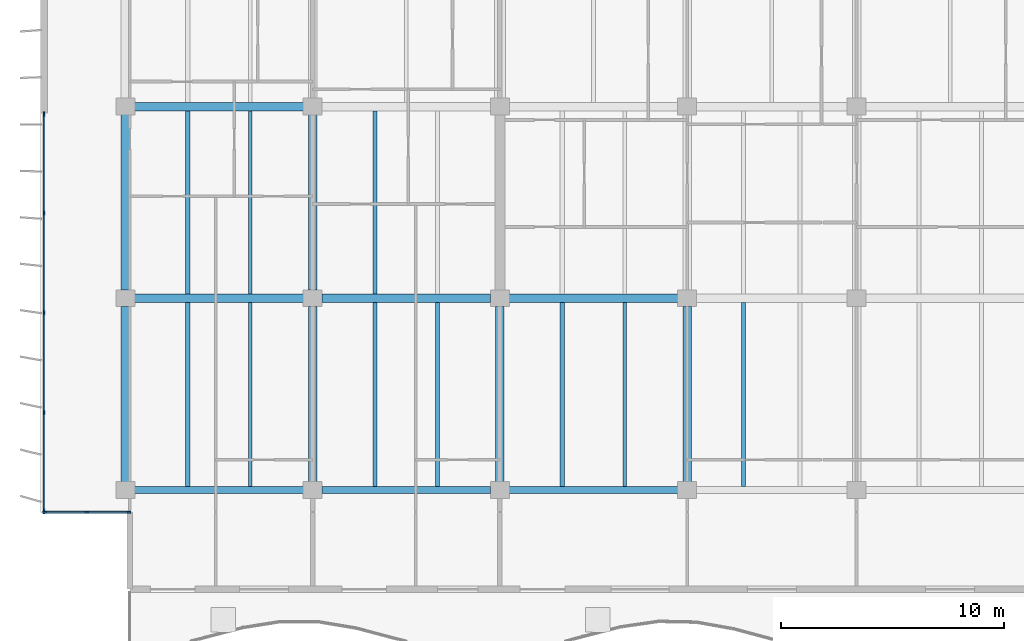
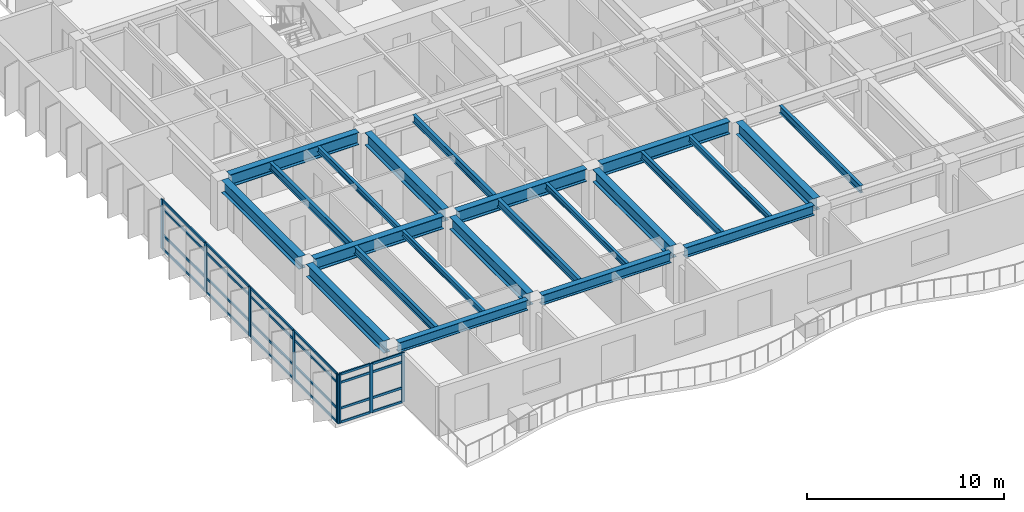
# One storey, part 2 of 17: 32 members, 23 beams, 2 elements without a shape of their own.
"""IFC4 building model written with IfcOpenShell, lengths in metres."""

from ifc_helpers import new_model, si_unit, direction, frame, origin, origin_2d, place, context, subcontext, project, spatial, rectangle, i_section, extrude, material, layer, layer_set, material_profile, profile_set, type_object, element, aggregate, save


model = new_model("IFC4")

# Units and contexts
model_context = context("Model", 3, precision=1e-05, world=origin(), true_north=direction((0.0, 1.0)))
body_context = subcontext(model_context, "Body", "Model", "MODEL_VIEW")
ifc_project = project(units=[si_unit("LENGTHUNIT", "METRE"), si_unit("AREAUNIT", "SQUARE_METRE"), si_unit("VOLUMEUNIT", "CUBIC_METRE"), si_unit("PLANEANGLEUNIT", "RADIAN"), si_unit("MASSUNIT", "GRAM", prefix="KILO")], contexts=[model_context])

# Site, building, storey
site_placement = place(None, origin())
site = spatial("IfcSite", under=ifc_project, at=site_placement, CompositionType="ELEMENT")
building_placement = place(site_placement, origin())
building = spatial("IfcBuilding", under=site, at=building_placement, Name="Caelmar Bay Residences", CompositionType="ELEMENT")
storey_placement = place(building_placement, frame((0.0, 0.0, 201.60009765625)))
storey = spatial("IfcBuildingStorey", under=building, at=storey_placement, Name="L56", CompositionType="ELEMENT", Elevation=201.60009765625)

# Beams
ifc_material_1 = material(Name="Steel ASTM A992 Grade 50", Category="steel")
ifc_material_profile_1 = material_profile(ifc_material_1, i_section(OverallWidth=0.381103515625, OverallDepth=0.77197265625, WebThickness=0.0166015625, FlangeThickness=0.027099609375, FilletRadius=0.0166015625, at=origin_2d()), Name="W30X173")
ifc_profile_set_1 = profile_set([ifc_material_profile_1], Name="Steel ASTM A992 Grade 50")
beam_type_1 = type_object("IfcBeamType", Name="BM-GRD-W30X173", PredefinedType="BEAM", material=ifc_profile_set_1)
beam_1_placement = place(storey_placement, frame((10.31494140625, 20.800048828125, 2.663818359375), z_axis=(1.0, 0.0, 0.0), x_axis=(0.0, 1.0, 0.0)))
element("IfcBeam", 1, at=beam_1_placement, inside=storey, type_object=beam_type_1, Name="L56 East-West Girder Y=20.80 (9.9-18.3)", PredefinedType="BEAM", context=body_context, shape_type="SweptSolid", body=[
    extrude(i_section(OverallWidth=0.381103515625, OverallDepth=0.77197265625, WebThickness=0.0166015625, FlangeThickness=0.027099609375, FilletRadius=0.0166015625, at=origin_2d()), origin(), (0.0, 0.0, 1.0), 7.570068359375),
])
beam_2_placement = place(storey_placement, frame((18.715087890625, 20.800048828125, 2.663818359375), z_axis=(1.0, 0.0, 0.0), x_axis=(0.0, 1.0, 0.0)))
element("IfcBeam", 2, at=beam_2_placement, inside=storey, type_object=beam_type_1, Name="L56 East-West Girder Y=20.80 (18.3-26.7)", PredefinedType="BEAM", context=body_context, shape_type="SweptSolid", body=[
    extrude(i_section(OverallWidth=0.381103515625, OverallDepth=0.77197265625, WebThickness=0.0166015625, FlangeThickness=0.027099609375, FilletRadius=0.0166015625, at=origin_2d()), origin(), (0.0, 0.0, 1.0), 7.56982421875),
])
for number, where, z_axis, x_axis, name in (
    (3, (27.114990234375, 20.800048828125, 2.663818359375), (1.0, 0.0, 0.0), (0.0, 1.0, 0.0), "L56 East-West Girder Y=20.80 (26.7-35.1)"),
    (4, (10.31494140625, 29.39990234375, 2.663818359375), (1.0, 0.0, 0.0), (0.0, 1.0, 0.0), "L56 East-West Girder Y=29.40 (9.9-18.3)"),
):
    element("IfcBeam", number, at=place(storey_placement, frame(where, z_axis=z_axis, x_axis=x_axis)), inside=storey, type_object=beam_type_1, Name=name, PredefinedType="BEAM", context=body_context, shape_type="SweptSolid", body=[
        extrude(i_section(OverallWidth=0.381103515625, OverallDepth=0.77197265625, WebThickness=0.0166015625, FlangeThickness=0.027099609375, FilletRadius=0.0166015625, at=origin_2d()), origin(), (0.0, 0.0, 1.0), 7.570068359375),
    ])
beam_3_placement = place(storey_placement, frame((9.89990234375, 12.56494140625, 2.663818359375), z_axis=(0.0, 1.0, 0.0), x_axis=(-1.0, 0.0, 0.0)))
element("IfcBeam", 5, at=beam_3_placement, inside=storey, type_object=beam_type_1, Name="L56 North-South Girder X=9.90 (12.2-20.8)", PredefinedType="BEAM", context=body_context, shape_type="SweptSolid", body=[
    extrude(i_section(OverallWidth=0.381103515625, OverallDepth=0.77197265625, WebThickness=0.0166015625, FlangeThickness=0.027099609375, FilletRadius=0.0166015625, at=origin_2d()), origin(), (0.0, 0.0, 1.0), 7.8701171875),
])
beam_4_placement = place(storey_placement, frame((9.89990234375, 21.1650390625, 2.663818359375), z_axis=(0.0, 1.0, 0.0), x_axis=(-1.0, 0.0, 0.0)))
element("IfcBeam", 6, at=beam_4_placement, inside=storey, type_object=beam_type_1, Name="L56 North-South Girder X=9.90 (20.8-29.4)", PredefinedType="BEAM", context=body_context, shape_type="SweptSolid", body=[
    extrude(i_section(OverallWidth=0.381103515625, OverallDepth=0.77197265625, WebThickness=0.0166015625, FlangeThickness=0.027099609375, FilletRadius=0.0166015625, at=origin_2d()), origin(), (0.0, 0.0, 1.0), 7.869873046875),
])
beam_5_placement = place(storey_placement, frame((18.300048828125, 12.56494140625, 2.663818359375), z_axis=(0.0, 1.0, 0.0), x_axis=(-1.0, 0.0, 0.0)))
element("IfcBeam", 7, at=beam_5_placement, inside=storey, type_object=beam_type_1, Name="L56 North-South Girder X=18.30 (12.2-20.8)", PredefinedType="BEAM", context=body_context, shape_type="SweptSolid", body=[
    extrude(i_section(OverallWidth=0.381103515625, OverallDepth=0.77197265625, WebThickness=0.0166015625, FlangeThickness=0.027099609375, FilletRadius=0.0166015625, at=origin_2d()), origin(), (0.0, 0.0, 1.0), 7.8701171875),
])
beam_6_placement = place(storey_placement, frame((18.300048828125, 21.1650390625, 2.663818359375), z_axis=(0.0, 1.0, 0.0), x_axis=(-1.0, 0.0, 0.0)))
element("IfcBeam", 8, at=beam_6_placement, inside=storey, type_object=beam_type_1, Name="L56 North-South Girder X=18.30 (20.8-29.4)", PredefinedType="BEAM", context=body_context, shape_type="SweptSolid", body=[
    extrude(i_section(OverallWidth=0.381103515625, OverallDepth=0.77197265625, WebThickness=0.0166015625, FlangeThickness=0.027099609375, FilletRadius=0.0166015625, at=origin_2d()), origin(), (0.0, 0.0, 1.0), 7.869873046875),
])
for number, where, z_axis, x_axis, name in (
    (9, (26.699951171875, 12.56494140625, 2.663818359375), (0.0, 1.0, 0.0), (-1.0, 0.0, 0.0), "L56 North-South Girder X=26.70 (12.2-20.8)"),
    (10, (35.10009765625, 12.56494140625, 2.663818359375), (0.0, 1.0, 0.0), (-1.0, 0.0, 0.0), "L56 North-South Girder X=35.10 (12.2-20.8)"),
):
    element("IfcBeam", number, at=place(storey_placement, frame(where, z_axis=z_axis, x_axis=x_axis)), inside=storey, type_object=beam_type_1, Name=name, PredefinedType="BEAM", context=body_context, shape_type="SweptSolid", body=[
        extrude(i_section(OverallWidth=0.381103515625, OverallDepth=0.77197265625, WebThickness=0.0166015625, FlangeThickness=0.027099609375, FilletRadius=0.0166015625, at=origin_2d()), origin(), (0.0, 0.0, 1.0), 7.8701171875),
    ])
ifc_material_profile_2 = material_profile(ifc_material_1, i_section(OverallWidth=0.1708984375, OverallDepth=0.35595703125, WebThickness=0.007080078125, FlangeThickness=0.01171875, FilletRadius=0.007568359375, at=origin_2d()), Name="W14X34")
ifc_profile_set_2 = profile_set([ifc_material_profile_2], Name="Steel ASTM A992 Grade 50")
beam_type_2 = type_object("IfcBeamType", Name="BM-JST-W14X34", PredefinedType="JOIST", material=ifc_profile_set_2)
for number, where, z_axis, x_axis, name in (
    (11, (15.5, 12.362548828125, 2.871826171875), (0.0, 1.0, 0.0), (-1.0, 0.0, 0.0), "L56 Composite Floor Joist 2"),
    (12, (23.89990234375, 12.362548828125, 2.871826171875), (0.0, 1.0, 0.0), (-1.0, 0.0, 0.0), "L56 Composite Floor Joist 4"),
    (13, (32.300048828125, 12.362548828125, 2.871826171875), (0.0, 1.0, 0.0), (-1.0, 0.0, 0.0), "L56 Composite Floor Joist 6"),
):
    element("IfcBeam", number, at=place(storey_placement, frame(where, z_axis=z_axis, x_axis=x_axis)), inside=storey, type_object=beam_type_2, Name=name, PredefinedType="JOIST", context=body_context, shape_type="SweptSolid", body=[
        extrude(i_section(OverallWidth=0.1708984375, OverallDepth=0.35595703125, WebThickness=0.007080078125, FlangeThickness=0.01171875, FilletRadius=0.007568359375, at=origin_2d()), origin(), (0.0, 0.0, 1.0), 8.2470703125),
    ])
beam_7_placement = place(storey_placement, frame((15.5, 20.990478515625, 2.871826171875), z_axis=(0.0, 1.0, 0.0), x_axis=(-1.0, 0.0, 0.0)))
element("IfcBeam", 14, at=beam_7_placement, inside=storey, type_object=beam_type_2, Name="L56 Composite Floor Joist 16", PredefinedType="JOIST", context=body_context, shape_type="SweptSolid", body=[
    extrude(i_section(OverallWidth=0.1708984375, OverallDepth=0.35595703125, WebThickness=0.007080078125, FlangeThickness=0.01171875, FilletRadius=0.007568359375, at=origin_2d()), origin(), (0.0, 0.0, 1.0), 8.218994140625),
])
ifc_material_profile_3 = material_profile(ifc_material_1, i_section(OverallWidth=0.19091796875, OverallDepth=0.45703125, WebThickness=0.009033203125, FlangeThickness=0.014404296875, FilletRadius=0.01025390625, at=origin_2d()), Name="W18X50")
ifc_profile_set_3 = profile_set([ifc_material_profile_3], Name="Steel ASTM A992 Grade 50")
beam_type_3 = type_object("IfcBeamType", Name="BM-JST-W18X50", PredefinedType="JOIST", material=ifc_profile_set_3)
for number, where, z_axis, x_axis, name in (
    (15, (12.699951171875, 12.362548828125, 2.8212890625), (0.0, 1.0, 0.0), (-1.0, 0.0, 0.0), "L56 Composite Floor Joist 1"),
    (16, (21.10009765625, 12.362548828125, 2.8212890625), (0.0, 1.0, 0.0), (-1.0, 0.0, 0.0), "L56 Composite Floor Joist 3"),
    (17, (29.5, 12.362548828125, 2.8212890625), (0.0, 1.0, 0.0), (-1.0, 0.0, 0.0), "L56 Composite Floor Joist 5"),
    (18, (37.63330078125, 12.362548828125, 2.8212890625), (0.0, 1.0, 0.0), (-1.0, 0.0, 0.0), "L56 Composite Floor Joist 7"),
):
    element("IfcBeam", number, at=place(storey_placement, frame(where, z_axis=z_axis, x_axis=x_axis)), inside=storey, type_object=beam_type_3, Name=name, PredefinedType="JOIST", context=body_context, shape_type="SweptSolid", body=[
        extrude(i_section(OverallWidth=0.19091796875, OverallDepth=0.45703125, WebThickness=0.009033203125, FlangeThickness=0.014404296875, FilletRadius=0.01025390625, at=origin_2d()), origin(), (0.0, 0.0, 1.0), 8.2470703125),
    ])
for number, where, z_axis, x_axis, name in (
    (19, (12.699951171875, 20.990478515625, 2.8212890625), (0.0, 1.0, 0.0), (-1.0, 0.0, 0.0), "L56 Composite Floor Joist 15"),
    (20, (21.10009765625, 20.990478515625, 2.8212890625), (0.0, 1.0, 0.0), (-1.0, 0.0, 0.0), "L56 Composite Floor Joist 17"),
):
    element("IfcBeam", number, at=place(storey_placement, frame(where, z_axis=z_axis, x_axis=x_axis)), inside=storey, type_object=beam_type_3, Name=name, PredefinedType="JOIST", context=body_context, shape_type="SweptSolid", body=[
        extrude(i_section(OverallWidth=0.19091796875, OverallDepth=0.45703125, WebThickness=0.009033203125, FlangeThickness=0.014404296875, FilletRadius=0.01025390625, at=origin_2d()), origin(), (0.0, 0.0, 1.0), 8.218994140625),
    ])
ifc_material_profile_4 = material_profile(ifc_material_1, i_section(OverallWidth=0.324951171875, OverallDepth=0.616943359375, WebThickness=0.013916015625, FlangeThickness=0.021484375, FilletRadius=0.0126953125, at=origin_2d()), Name="W24X117")
ifc_profile_set_4 = profile_set([ifc_material_profile_4], Name="Steel ASTM A992 Grade 50")
beam_type_4 = type_object("IfcBeamType", Name="BM-SPN-W24X117", PredefinedType="SPANDREL", material=ifc_profile_set_4)
beam_8_placement = place(storey_placement, frame((10.31494140625, 12.199951171875, 2.741455078125), z_axis=(1.0, 0.0, 0.0), x_axis=(0.0, 1.0, 0.0)))
element("IfcBeam", 21, at=beam_8_placement, inside=storey, type_object=beam_type_4, Name="L56 East-West Girder Y=12.20 (9.9-18.3)", PredefinedType="SPANDREL", context=body_context, shape_type="SweptSolid", body=[
    extrude(i_section(OverallWidth=0.324951171875, OverallDepth=0.616943359375, WebThickness=0.013916015625, FlangeThickness=0.021484375, FilletRadius=0.0126953125, at=origin_2d()), origin(), (0.0, 0.0, 1.0), 7.570068359375),
])
beam_9_placement = place(storey_placement, frame((18.715087890625, 12.199951171875, 2.741455078125), z_axis=(1.0, 0.0, 0.0), x_axis=(0.0, 1.0, 0.0)))
element("IfcBeam", 22, at=beam_9_placement, inside=storey, type_object=beam_type_4, Name="L56 East-West Girder Y=12.20 (18.3-26.7)", PredefinedType="SPANDREL", context=body_context, shape_type="SweptSolid", body=[
    extrude(i_section(OverallWidth=0.324951171875, OverallDepth=0.616943359375, WebThickness=0.013916015625, FlangeThickness=0.021484375, FilletRadius=0.0126953125, at=origin_2d()), origin(), (0.0, 0.0, 1.0), 7.56982421875),
])
beam_10_placement = place(storey_placement, frame((27.114990234375, 12.199951171875, 2.741455078125), z_axis=(1.0, 0.0, 0.0), x_axis=(0.0, 1.0, 0.0)))
element("IfcBeam", 23, at=beam_10_placement, inside=storey, type_object=beam_type_4, Name="L56 East-West Girder Y=12.20 (26.7-35.1)", PredefinedType="SPANDREL", context=body_context, shape_type="SweptSolid", body=[
    extrude(i_section(OverallWidth=0.324951171875, OverallDepth=0.616943359375, WebThickness=0.013916015625, FlangeThickness=0.021484375, FilletRadius=0.0126953125, at=origin_2d()), origin(), (0.0, 0.0, 1.0), 7.570068359375),
])

# Curtain wall, members
ifc_material_2 = material(Name="Anodised bronze aluminium 6063-T6 and laminated glass", Category="aluminium")
ifc_layer_1 = layer(ifc_material_2, 0.179931640625)
ifc_layer_set_1 = layer_set([ifc_layer_1], Name="Anodised bronze aluminium 6063-T6 and laminated glass")
curtain_wall_type_1 = type_object("IfcCurtainWallType", Name="CW6-NTC", PredefinedType="NOTDEFINED", material=ifc_layer_set_1)
curtain_wall_1_placement = place(storey_placement, origin())
curtain_wall_1 = element("IfcCurtainWall", 24, at=curtain_wall_1_placement, inside=storey, type_object=curtain_wall_type_1, Name="CW6 curtain wall L56", PredefinedType="NOTDEFINED")
ifc_material_3 = material(Name="Anodised bronze aluminium 6063-T6", Category="aluminium")
ifc_material_profile_5 = material_profile(ifc_material_3, rectangle(XDim=0.080078125, YDim=0.179931640625, at=origin_2d()), Name="CWM-80X180")
ifc_profile_set_5 = profile_set([ifc_material_profile_5], Name="Anodised bronze aluminium 6063-T6")
member_type_1 = type_object("IfcMemberType", Name="CWM-180", PredefinedType="MULLION", material=ifc_profile_set_5)
member_1_placement = place(storey_placement, frame((6.2900390625, 11.199951171875, 0.0), z_axis=(0.0, 0.0, 1.0), x_axis=(0.0, 1.0, 0.0)))
member_1 = element("IfcMember", 25, at=member_1_placement, type_object=member_type_1, Name="CW6 mullion 1", PredefinedType="MULLION", context=body_context, shape_type="SweptSolid", body=[
    extrude(rectangle(XDim=0.080078125, YDim=0.179931640625, at=origin_2d()), origin(), (0.0, 0.0, 1.0), 3.0498046875),
])
member_2_placement = place(storey_placement, frame((8.175048828125, 11.199951171875, 0.0), z_axis=(0.0, 0.0, 1.0), x_axis=(0.0, 1.0, 0.0)))
member_2 = element("IfcMember", 26, at=member_2_placement, type_object=member_type_1, Name="CW6 mullion 2", PredefinedType="MULLION", context=body_context, shape_type="SweptSolid", body=[
    extrude(rectangle(XDim=0.080078125, YDim=0.179931640625, at=origin_2d()), origin(), (0.0, 0.0, 1.0), 3.0498046875),
])
member_3_placement = place(storey_placement, frame((10.06005859375, 11.199951171875, 0.0), z_axis=(0.0, 0.0, 1.0), x_axis=(0.0, 1.0, 0.0)))
member_3 = element("IfcMember", 27, at=member_3_placement, type_object=member_type_1, Name="CW6 mullion 3", PredefinedType="MULLION", context=body_context, shape_type="SweptSolid", body=[
    extrude(rectangle(XDim=0.080078125, YDim=0.179931640625, at=origin_2d()), origin(), (0.0, 0.0, 1.0), 3.0498046875),
])

ifc_layer_2 = layer(ifc_material_2, 0.179931640625)
ifc_layer_set_2 = layer_set([ifc_layer_2], Name="Anodised bronze aluminium 6063-T6 and laminated glass")
curtain_wall_type_2 = type_object("IfcCurtainWallType", Name="CW4-Z3", PredefinedType="NOTDEFINED", material=ifc_layer_set_2)
curtain_wall_2_placement = place(storey_placement, origin())
curtain_wall_2 = element("IfcCurtainWall", 28, at=curtain_wall_2_placement, inside=storey, type_object=curtain_wall_type_2, Name="CW4 curtain wall L56", PredefinedType="NOTDEFINED")
ifc_material_profile_6 = material_profile(ifc_material_3, rectangle(XDim=0.080078125, YDim=0.219970703125, at=origin_2d()), Name="CWM-80X220")
ifc_profile_set_6 = profile_set([ifc_material_profile_6], Name="Anodised bronze aluminium 6063-T6")
member_type_2 = type_object("IfcMemberType", Name="CWM-220", PredefinedType="MULLION", material=ifc_profile_set_6)
member_4_placement = place(storey_placement, frame((6.25, 11.239990234375, 0.0), z_axis=(0.0, 0.0, 1.0), x_axis=(-1.0, 0.0, 0.0)))
member_4 = element("IfcMember", 29, at=member_4_placement, type_object=member_type_2, Name="CW4 mullion 1", PredefinedType="MULLION", context=body_context, shape_type="SweptSolid", body=[
    extrude(rectangle(XDim=0.080078125, YDim=0.219970703125, at=origin_2d()), origin(), (0.0, 0.0, 1.0), 3.0498046875),
])
member_5_placement = place(storey_placement, frame((6.25, 15.675048828125, 0.0), z_axis=(0.0, 0.0, 1.0), x_axis=(-1.0, 0.0, 0.0)))
member_5 = element("IfcMember", 30, at=member_5_placement, type_object=member_type_2, Name="CW4 mullion 2", PredefinedType="MULLION", context=body_context, shape_type="SweptSolid", body=[
    extrude(rectangle(XDim=0.080078125, YDim=0.219970703125, at=origin_2d()), origin(), (0.0, 0.0, 1.0), 3.0498046875),
])
member_6_placement = place(storey_placement, frame((6.25, 20.14990234375, 0.0), z_axis=(0.0, 0.0, 1.0), x_axis=(-1.0, 0.0, 0.0)))
member_6 = element("IfcMember", 31, at=member_6_placement, type_object=member_type_2, Name="CW4 mullion 3", PredefinedType="MULLION", context=body_context, shape_type="SweptSolid", body=[
    extrude(rectangle(XDim=0.080078125, YDim=0.219970703125, at=origin_2d()), origin(), (0.0, 0.0, 1.0), 3.0498046875),
])
member_7_placement = place(storey_placement, frame((6.25, 24.625, 0.0), z_axis=(0.0, 0.0, 1.0), x_axis=(-1.0, 0.0, 0.0)))
member_7 = element("IfcMember", 32, at=member_7_placement, type_object=member_type_2, Name="CW4 mullion 4", PredefinedType="MULLION", context=body_context, shape_type="SweptSolid", body=[
    extrude(rectangle(XDim=0.080078125, YDim=0.219970703125, at=origin_2d()), origin(), (0.0, 0.0, 1.0), 3.0498046875),
])
member_8_placement = place(storey_placement, frame((6.25, 29.06005859375, 0.0), z_axis=(0.0, 0.0, 1.0), x_axis=(-1.0, 0.0, 0.0)))
member_8 = element("IfcMember", 33, at=member_8_placement, type_object=member_type_2, Name="CW4 mullion 5", PredefinedType="MULLION", context=body_context, shape_type="SweptSolid", body=[
    extrude(rectangle(XDim=0.080078125, YDim=0.219970703125, at=origin_2d()), origin(), (0.0, 0.0, 1.0), 3.0498046875),
])

# Member
ifc_material_profile_7 = material_profile(ifc_material_3, rectangle(XDim=0.080078125, YDim=0.139892578125, at=origin_2d()), Name="CWT-80X140")
ifc_profile_set_7 = profile_set([ifc_material_profile_7], Name="Anodised bronze aluminium 6063-T6")
member_type_3 = type_object("IfcMemberType", Name="CWT-140", PredefinedType="NOTDEFINED", material=ifc_profile_set_7)
member_9_placement = place(storey_placement, frame((6.330078125, 11.199951171875, 0.039794921875), z_axis=(1.0, 0.0, 0.0), x_axis=(0.0, 1.0, 0.0)))
member_9 = element("IfcMember", 34, at=member_9_placement, type_object=member_type_3, Name="CW6 transom 1.1", ObjectType="TRANSOM", PredefinedType="USERDEFINED", context=body_context, shape_type="SweptSolid", body=[
    extrude(rectangle(XDim=0.080078125, YDim=0.139892578125, at=origin_2d()), origin(), (0.0, 0.0, 1.0), 1.804931640625),
])

member_10_placement = place(storey_placement, frame((6.330078125, 11.199951171875, 0.89990234375), z_axis=(1.0, 0.0, 0.0), x_axis=(0.0, 1.0, 0.0)))
member_10 = element("IfcMember", 35, at=member_10_placement, type_object=member_type_3, Name="CW6 transom 1.2", ObjectType="TRANSOM", PredefinedType="USERDEFINED", context=body_context, shape_type="SweptSolid", body=[
    extrude(rectangle(XDim=0.080078125, YDim=0.139892578125, at=origin_2d()), origin(), (0.0, 0.0, 1.0), 1.804931640625),
])

member_11_placement = place(storey_placement, frame((6.330078125, 11.199951171875, 2.5), z_axis=(1.0, 0.0, 0.0), x_axis=(0.0, 1.0, 0.0)))
member_11 = element("IfcMember", 36, at=member_11_placement, type_object=member_type_3, Name="CW6 transom 1.3", ObjectType="TRANSOM", PredefinedType="USERDEFINED", context=body_context, shape_type="SweptSolid", body=[
    extrude(rectangle(XDim=0.080078125, YDim=0.139892578125, at=origin_2d()), origin(), (0.0, 0.0, 1.0), 1.804931640625),
])

member_12_placement = place(storey_placement, frame((6.330078125, 11.199951171875, 3.010009765625), z_axis=(1.0, 0.0, 0.0), x_axis=(0.0, 1.0, 0.0)))
member_12 = element("IfcMember", 37, at=member_12_placement, type_object=member_type_3, Name="CW6 transom 1.4", ObjectType="TRANSOM", PredefinedType="USERDEFINED", context=body_context, shape_type="SweptSolid", body=[
    extrude(rectangle(XDim=0.080078125, YDim=0.139892578125, at=origin_2d()), origin(), (0.0, 0.0, 1.0), 1.804931640625),
])

member_13_placement = place(storey_placement, frame((8.215087890625, 11.199951171875, 0.039794921875), z_axis=(1.0, 0.0, 0.0), x_axis=(0.0, 1.0, 0.0)))
member_13 = element("IfcMember", 38, at=member_13_placement, type_object=member_type_3, Name="CW6 transom 2.1", ObjectType="TRANSOM", PredefinedType="USERDEFINED", context=body_context, shape_type="SweptSolid", body=[
    extrude(rectangle(XDim=0.080078125, YDim=0.139892578125, at=origin_2d()), origin(), (0.0, 0.0, 1.0), 1.804931640625),
])

member_14_placement = place(storey_placement, frame((8.215087890625, 11.199951171875, 0.89990234375), z_axis=(1.0, 0.0, 0.0), x_axis=(0.0, 1.0, 0.0)))
member_14 = element("IfcMember", 39, at=member_14_placement, type_object=member_type_3, Name="CW6 transom 2.2", ObjectType="TRANSOM", PredefinedType="USERDEFINED", context=body_context, shape_type="SweptSolid", body=[
    extrude(rectangle(XDim=0.080078125, YDim=0.139892578125, at=origin_2d()), origin(), (0.0, 0.0, 1.0), 1.804931640625),
])

member_15_placement = place(storey_placement, frame((8.215087890625, 11.199951171875, 2.5), z_axis=(1.0, 0.0, 0.0), x_axis=(0.0, 1.0, 0.0)))
member_15 = element("IfcMember", 40, at=member_15_placement, type_object=member_type_3, Name="CW6 transom 2.3", ObjectType="TRANSOM", PredefinedType="USERDEFINED", context=body_context, shape_type="SweptSolid", body=[
    extrude(rectangle(XDim=0.080078125, YDim=0.139892578125, at=origin_2d()), origin(), (0.0, 0.0, 1.0), 1.804931640625),
])

member_16_placement = place(storey_placement, frame((8.215087890625, 11.199951171875, 3.010009765625), z_axis=(1.0, 0.0, 0.0), x_axis=(0.0, 1.0, 0.0)))
member_16 = element("IfcMember", 41, at=member_16_placement, type_object=member_type_3, Name="CW6 transom 2.4", ObjectType="TRANSOM", PredefinedType="USERDEFINED", context=body_context, shape_type="SweptSolid", body=[
    extrude(rectangle(XDim=0.080078125, YDim=0.139892578125, at=origin_2d()), origin(), (0.0, 0.0, 1.0), 1.804931640625),
])

aggregate(curtain_wall_1, [member_1, member_2, member_3, member_9, member_10, member_11, member_12, member_13, member_14, member_15, member_16])

member_17_placement = place(storey_placement, frame((6.25, 11.280029296875, 0.039794921875), z_axis=(0.0, 1.0, 0.0), x_axis=(-1.0, 0.0, 0.0)))
member_17 = element("IfcMember", 42, at=member_17_placement, type_object=member_type_3, Name="CW4 transom 1.1", ObjectType="TRANSOM", PredefinedType="USERDEFINED", context=body_context, shape_type="SweptSolid", body=[
    extrude(rectangle(XDim=0.080078125, YDim=0.139892578125, at=origin_2d()), origin(), (0.0, 0.0, 1.0), 4.35498046875),
])

member_18_placement = place(storey_placement, frame((6.25, 11.280029296875, 0.89990234375), z_axis=(0.0, 1.0, 0.0), x_axis=(-1.0, 0.0, 0.0)))
member_18 = element("IfcMember", 43, at=member_18_placement, type_object=member_type_3, Name="CW4 transom 1.2", ObjectType="TRANSOM", PredefinedType="USERDEFINED", context=body_context, shape_type="SweptSolid", body=[
    extrude(rectangle(XDim=0.080078125, YDim=0.139892578125, at=origin_2d()), origin(), (0.0, 0.0, 1.0), 4.35498046875),
])

member_19_placement = place(storey_placement, frame((6.25, 11.280029296875, 2.5), z_axis=(0.0, 1.0, 0.0), x_axis=(-1.0, 0.0, 0.0)))
member_19 = element("IfcMember", 44, at=member_19_placement, type_object=member_type_3, Name="CW4 transom 1.3", ObjectType="TRANSOM", PredefinedType="USERDEFINED", context=body_context, shape_type="SweptSolid", body=[
    extrude(rectangle(XDim=0.080078125, YDim=0.139892578125, at=origin_2d()), origin(), (0.0, 0.0, 1.0), 4.35498046875),
])

member_20_placement = place(storey_placement, frame((6.25, 11.280029296875, 3.010009765625), z_axis=(0.0, 1.0, 0.0), x_axis=(-1.0, 0.0, 0.0)))
member_20 = element("IfcMember", 45, at=member_20_placement, type_object=member_type_3, Name="CW4 transom 1.4", ObjectType="TRANSOM", PredefinedType="USERDEFINED", context=body_context, shape_type="SweptSolid", body=[
    extrude(rectangle(XDim=0.080078125, YDim=0.139892578125, at=origin_2d()), origin(), (0.0, 0.0, 1.0), 4.35498046875),
])

member_21_placement = place(storey_placement, frame((6.25, 15.715087890625, 0.039794921875), z_axis=(0.0, 1.0, 0.0), x_axis=(-1.0, 0.0, 0.0)))
member_21 = element("IfcMember", 46, at=member_21_placement, type_object=member_type_3, Name="CW4 transom 2.1", ObjectType="TRANSOM", PredefinedType="USERDEFINED", context=body_context, shape_type="SweptSolid", body=[
    extrude(rectangle(XDim=0.080078125, YDim=0.139892578125, at=origin_2d()), origin(), (0.0, 0.0, 1.0), 4.39501953125),
])

member_22_placement = place(storey_placement, frame((6.25, 15.715087890625, 0.89990234375), z_axis=(0.0, 1.0, 0.0), x_axis=(-1.0, 0.0, 0.0)))
member_22 = element("IfcMember", 47, at=member_22_placement, type_object=member_type_3, Name="CW4 transom 2.2", ObjectType="TRANSOM", PredefinedType="USERDEFINED", context=body_context, shape_type="SweptSolid", body=[
    extrude(rectangle(XDim=0.080078125, YDim=0.139892578125, at=origin_2d()), origin(), (0.0, 0.0, 1.0), 4.39501953125),
])

member_23_placement = place(storey_placement, frame((6.25, 15.715087890625, 2.5), z_axis=(0.0, 1.0, 0.0), x_axis=(-1.0, 0.0, 0.0)))
member_23 = element("IfcMember", 48, at=member_23_placement, type_object=member_type_3, Name="CW4 transom 2.3", ObjectType="TRANSOM", PredefinedType="USERDEFINED", context=body_context, shape_type="SweptSolid", body=[
    extrude(rectangle(XDim=0.080078125, YDim=0.139892578125, at=origin_2d()), origin(), (0.0, 0.0, 1.0), 4.39501953125),
])

member_24_placement = place(storey_placement, frame((6.25, 15.715087890625, 3.010009765625), z_axis=(0.0, 1.0, 0.0), x_axis=(-1.0, 0.0, 0.0)))
member_24 = element("IfcMember", 49, at=member_24_placement, type_object=member_type_3, Name="CW4 transom 2.4", ObjectType="TRANSOM", PredefinedType="USERDEFINED", context=body_context, shape_type="SweptSolid", body=[
    extrude(rectangle(XDim=0.080078125, YDim=0.139892578125, at=origin_2d()), origin(), (0.0, 0.0, 1.0), 4.39501953125),
])

member_25_placement = place(storey_placement, frame((6.25, 20.18994140625, 0.039794921875), z_axis=(0.0, 1.0, 0.0), x_axis=(-1.0, 0.0, 0.0)))
member_25 = element("IfcMember", 50, at=member_25_placement, type_object=member_type_3, Name="CW4 transom 3.1", ObjectType="TRANSOM", PredefinedType="USERDEFINED", context=body_context, shape_type="SweptSolid", body=[
    extrude(rectangle(XDim=0.080078125, YDim=0.139892578125, at=origin_2d()), origin(), (0.0, 0.0, 1.0), 4.39501953125),
])

member_26_placement = place(storey_placement, frame((6.25, 20.18994140625, 0.89990234375), z_axis=(0.0, 1.0, 0.0), x_axis=(-1.0, 0.0, 0.0)))
member_26 = element("IfcMember", 51, at=member_26_placement, type_object=member_type_3, Name="CW4 transom 3.2", ObjectType="TRANSOM", PredefinedType="USERDEFINED", context=body_context, shape_type="SweptSolid", body=[
    extrude(rectangle(XDim=0.080078125, YDim=0.139892578125, at=origin_2d()), origin(), (0.0, 0.0, 1.0), 4.39501953125),
])

member_27_placement = place(storey_placement, frame((6.25, 20.18994140625, 2.5), z_axis=(0.0, 1.0, 0.0), x_axis=(-1.0, 0.0, 0.0)))
member_27 = element("IfcMember", 52, at=member_27_placement, type_object=member_type_3, Name="CW4 transom 3.3", ObjectType="TRANSOM", PredefinedType="USERDEFINED", context=body_context, shape_type="SweptSolid", body=[
    extrude(rectangle(XDim=0.080078125, YDim=0.139892578125, at=origin_2d()), origin(), (0.0, 0.0, 1.0), 4.39501953125),
])

member_28_placement = place(storey_placement, frame((6.25, 20.18994140625, 3.010009765625), z_axis=(0.0, 1.0, 0.0), x_axis=(-1.0, 0.0, 0.0)))
member_28 = element("IfcMember", 53, at=member_28_placement, type_object=member_type_3, Name="CW4 transom 3.4", ObjectType="TRANSOM", PredefinedType="USERDEFINED", context=body_context, shape_type="SweptSolid", body=[
    extrude(rectangle(XDim=0.080078125, YDim=0.139892578125, at=origin_2d()), origin(), (0.0, 0.0, 1.0), 4.39501953125),
])

member_29_placement = place(storey_placement, frame((6.25, 24.6650390625, 0.039794921875), z_axis=(0.0, 1.0, 0.0), x_axis=(-1.0, 0.0, 0.0)))
member_29 = element("IfcMember", 54, at=member_29_placement, type_object=member_type_3, Name="CW4 transom 4.1", ObjectType="TRANSOM", PredefinedType="USERDEFINED", context=body_context, shape_type="SweptSolid", body=[
    extrude(rectangle(XDim=0.080078125, YDim=0.139892578125, at=origin_2d()), origin(), (0.0, 0.0, 1.0), 4.35498046875),
])

member_30_placement = place(storey_placement, frame((6.25, 24.6650390625, 0.89990234375), z_axis=(0.0, 1.0, 0.0), x_axis=(-1.0, 0.0, 0.0)))
member_30 = element("IfcMember", 55, at=member_30_placement, type_object=member_type_3, Name="CW4 transom 4.2", ObjectType="TRANSOM", PredefinedType="USERDEFINED", context=body_context, shape_type="SweptSolid", body=[
    extrude(rectangle(XDim=0.080078125, YDim=0.139892578125, at=origin_2d()), origin(), (0.0, 0.0, 1.0), 4.35498046875),
])

member_31_placement = place(storey_placement, frame((6.25, 24.6650390625, 2.5), z_axis=(0.0, 1.0, 0.0), x_axis=(-1.0, 0.0, 0.0)))
member_31 = element("IfcMember", 56, at=member_31_placement, type_object=member_type_3, Name="CW4 transom 4.3", ObjectType="TRANSOM", PredefinedType="USERDEFINED", context=body_context, shape_type="SweptSolid", body=[
    extrude(rectangle(XDim=0.080078125, YDim=0.139892578125, at=origin_2d()), origin(), (0.0, 0.0, 1.0), 4.35498046875),
])

member_32_placement = place(storey_placement, frame((6.25, 24.6650390625, 3.010009765625), z_axis=(0.0, 1.0, 0.0), x_axis=(-1.0, 0.0, 0.0)))
member_32 = element("IfcMember", 57, at=member_32_placement, type_object=member_type_3, Name="CW4 transom 4.4", ObjectType="TRANSOM", PredefinedType="USERDEFINED", context=body_context, shape_type="SweptSolid", body=[
    extrude(rectangle(XDim=0.080078125, YDim=0.139892578125, at=origin_2d()), origin(), (0.0, 0.0, 1.0), 4.35498046875),
])

aggregate(curtain_wall_2, [member_4, member_5, member_6, member_7, member_8, member_17, member_18, member_19, member_20, member_21, member_22, member_23, member_24, member_25, member_26, member_27, member_28, member_29, member_30, member_31, member_32])

save(model, "model.ifc")
